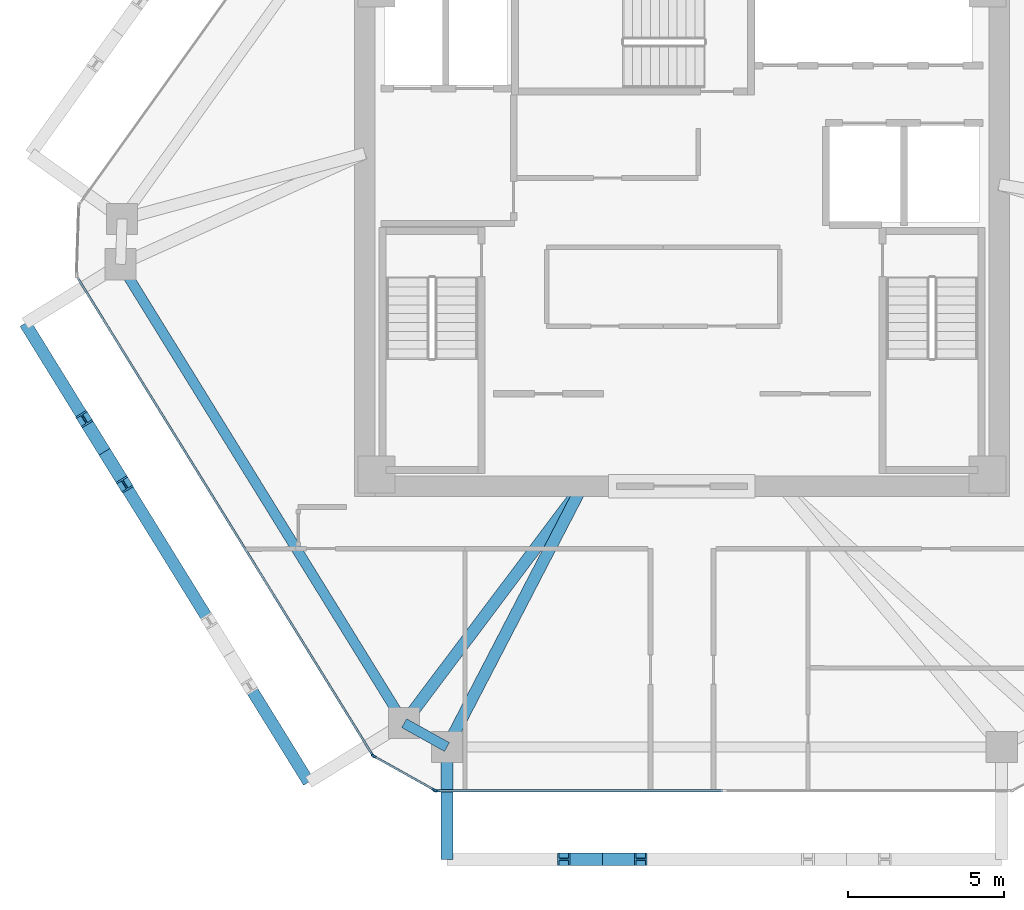
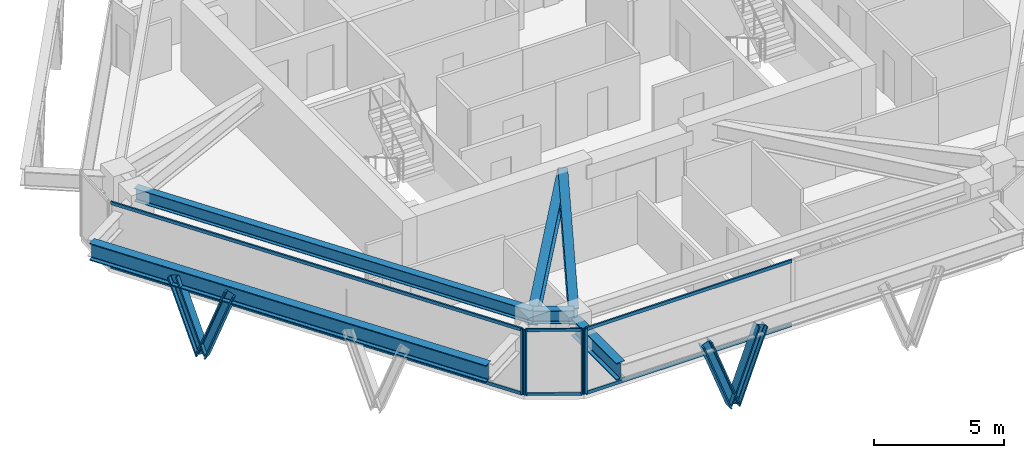
# One storey, part 2 of 11: 14 members, 6 beams, 3 elements without a shape of their own.
"""IFC4 building model written with IfcOpenShell, lengths in metres."""

from ifc_helpers import new_model, si_unit, direction, frame, origin, origin_2d, place, context, subcontext, project, spatial, rectangle, i_section, extrude, source, transform, mapped, material, layer, layer_set, material_profile, profile_set, type_object, type_shapes, element, aggregate, save


model = new_model("IFC4")

# Units and contexts
model_context = context("Model", 3, precision=1e-05, world=origin(), true_north=direction((0.0, 1.0)))
body_context = subcontext(model_context, "Body", "Model", "MODEL_VIEW")
ifc_project = project(units=[si_unit("LENGTHUNIT", "METRE"), si_unit("AREAUNIT", "SQUARE_METRE"), si_unit("VOLUMEUNIT", "CUBIC_METRE"), si_unit("PLANEANGLEUNIT", "RADIAN"), si_unit("MASSUNIT", "GRAM", prefix="KILO")], contexts=[model_context])

# Site, building, storey
site_placement = place(None, origin())
site = spatial("IfcSite", under=ifc_project, at=site_placement, CompositionType="ELEMENT")
building_placement = place(site_placement, origin())
building = spatial("IfcBuilding", under=site, at=building_placement, Name="Durnholm Broadcast Tower", CompositionType="ELEMENT")
storey_placement = place(building_placement, frame((0.0, 0.0, 183.699951171875)))
storey = spatial("IfcBuildingStorey", under=building, at=storey_placement, Name="L50", CompositionType="ELEMENT", Elevation=183.699951171875)

# Beams
ifc_material_1 = material(Name="Steel ASTM A992 Grade 50", Category="steel")
ifc_material_profile_1 = material_profile(ifc_material_1, i_section(OverallWidth=0.385009765625, OverallDepth=0.802978515625, WebThickness=0.023681640625, FlangeThickness=0.0419921875, FilletRadius=0.032958984375, at=origin_2d()), Name="W30X261")
ifc_profile_set_1 = profile_set([ifc_material_profile_1], Name="Steel ASTM A992 Grade 50")
beam_type_1 = type_object("IfcBeamType", Name="BM-EXO-TIE", PredefinedType="USERDEFINED", material=ifc_profile_set_1)
shared_shape_1 = source(origin(), body_context, "Body", "SweptSolid", [
    extrude(i_section(OverallWidth=0.385009765625, OverallDepth=0.802978515625, WebThickness=0.023681640625, FlangeThickness=0.0419921875, FilletRadius=0.032958984375, at=origin_2d()), origin(), (0.0, 0.0, 1.0), 3.4560546875),
])
beam_1_placement = place(storey_placement, frame((-7.53955078125, -16.68603515625, 2.30859375), z_axis=(0.0, -1.0, 0.0), x_axis=(1.0, 0.0, 0.0)))
element("IfcBeam", 1, at=beam_1_placement, inside=storey, type_object=beam_type_1, Name="L50 exoskeleton stand-off tie bracket F1.1", ObjectType="GIRDER", PredefinedType="USERDEFINED", context=body_context, shape_type="MappedRepresentation", body=[
    mapped(shared_shape_1, transform((0.0, 0.0, 0.0), x_axis=(1.0, 0.0, 0.0), y_axis=(0.0, 1.0, 0.0), z_axis=(0.0, 0.0, 1.0), scale=1.0)),
])
ifc_material_profile_2 = material_profile(ifc_material_1, i_section(OverallWidth=0.3251953125, OverallDepth=0.6162109375, WebThickness=0.013916015625, FlangeThickness=0.021484375, FilletRadius=0.02783203125, at=origin_2d()), Name="W24X117")
ifc_profile_set_2 = profile_set([ifc_material_profile_2], Name="Steel ASTM A992 Grade 50")
beam_type_2 = type_object("IfcBeamType", Name="STL-SP-W24X117", PredefinedType="SPANDREL", material=ifc_profile_set_2)
shared_shape_2 = source(origin(), body_context, "Body", "SweptSolid", [
    extrude(i_section(OverallWidth=0.3251953125, OverallDepth=0.6162109375, WebThickness=0.013916015625, FlangeThickness=0.021484375, FilletRadius=0.02783203125, at=origin_2d()), origin(), (0.0, 0.0, 1.0), 17.3037109375),
])
beam_2_placement = place(storey_placement, frame((-8.91259765625, -15.7763671875, 2.737060546875), z_axis=(-0.525695324718, 0.850672925142, 0.0), x_axis=(-0.850672925142, -0.525695324718, 0.0)))
element("IfcBeam", 2, at=beam_2_placement, inside=storey, type_object=beam_type_2, Name="L50 perimeter spandrel girder 01", PredefinedType="SPANDREL", context=body_context, shape_type="MappedRepresentation", body=[
    mapped(shared_shape_2, transform((0.0, 0.0, 0.0), x_axis=(1.0, 0.0, 0.0), y_axis=(0.0, 1.0, 0.0), z_axis=(0.0, 0.0, 1.0), scale=1.0)),
])
shared_shape_3 = source(origin(), body_context, "Body", "SweptSolid", [
    extrude(i_section(OverallWidth=0.3251953125, OverallDepth=0.6162109375, WebThickness=0.013916015625, FlangeThickness=0.021484375, FilletRadius=0.02783203125, at=origin_2d()), origin(), (0.0, 0.0, 1.0), 1.572021484375),
])
type_shapes(beam_type_2, [shared_shape_2, shared_shape_3])
beam_3_placement = place(storey_placement, frame((-7.53955078125, -16.5419921875, 2.737060546875), z_axis=(-0.873394362663, 0.487013641769, 0.0), x_axis=(-0.487013641769, -0.873394362663, 0.0)))
element("IfcBeam", 3, at=beam_3_placement, inside=storey, type_object=beam_type_2, Name="L50 perimeter spandrel girder 12", PredefinedType="SPANDREL", context=body_context, shape_type="MappedRepresentation", body=[
    mapped(shared_shape_3, transform((0.0, 0.0, 0.0), x_axis=(1.0, 0.0, 0.0), y_axis=(0.0, 1.0, 0.0), z_axis=(0.0, 0.0, 1.0), scale=1.0)),
])
shared_shape_4 = source(origin(), body_context, "Body", "SweptSolid", [
    extrude(i_section(OverallWidth=0.385009765625, OverallDepth=0.802978515625, WebThickness=0.023681640625, FlangeThickness=0.0419921875, FilletRadius=0.032958984375, at=origin_2d()), origin(), (0.0, 0.0, 1.0), 17.303466796875),
])
type_shapes(beam_type_1, [shared_shape_1, shared_shape_4])
beam_4_placement = place(storey_placement, frame((-21.071533203125, -2.94921875, 2.30859375), z_axis=(0.525701634347, -0.850669025911, 0.0), x_axis=(0.850669025911, 0.525701634347, 0.0)))
element("IfcBeam", 4, at=beam_4_placement, inside=storey, type_object=beam_type_1, Name="L50 exoskeleton collector spandrel F6", PredefinedType="SPANDREL", context=body_context, shape_type="MappedRepresentation", body=[
    mapped(shared_shape_4, transform((0.0, 0.0, 0.0), x_axis=(1.0, 0.0, 0.0), y_axis=(0.0, 1.0, 0.0), z_axis=(0.0, 0.0, 1.0), scale=1.0)),
])
ifc_material_profile_3 = material_profile(ifc_material_1, i_section(OverallWidth=0.380615234375, OverallDepth=0.773193359375, WebThickness=0.0166015625, FlangeThickness=0.027099609375, FilletRadius=0.032958984375, at=origin_2d()), Name="W30X173")
ifc_profile_set_3 = profile_set([ifc_material_profile_3], Name="Steel ASTM A992 Grade 50")
beam_type_3 = type_object("IfcBeamType", Name="STL-GR-W30X173", PredefinedType="USERDEFINED", material=ifc_profile_set_3)
shared_shape_5 = source(origin(), body_context, "Body", "SweptSolid", [
    extrude(i_section(OverallWidth=0.380615234375, OverallDepth=0.773193359375, WebThickness=0.0166015625, FlangeThickness=0.027099609375, FilletRadius=0.032958984375, at=origin_2d()), origin(), (0.0, 0.0, 1.0), 9.508544921875),
])
beam_5_placement = place(storey_placement, frame((-3.199951171875, -8.175048828125, 2.658447265625), z_axis=(-0.600784359039, -0.799411129479, 0.0), x_axis=(0.799411129479, -0.600784359039, 0.0)))
element("IfcBeam", 5, at=beam_5_placement, inside=storey, type_object=beam_type_3, Name="L50 radial primary floor girder 01", ObjectType="GIRDER", PredefinedType="USERDEFINED", context=body_context, shape_type="MappedRepresentation", body=[
    mapped(shared_shape_5, transform((0.0, 0.0, 0.0), x_axis=(1.0, 0.0, 0.0), y_axis=(0.0, 1.0, 0.0), z_axis=(0.0, 0.0, 1.0), scale=1.0)),
])
shared_shape_6 = source(origin(), body_context, "Body", "SweptSolid", [
    extrude(i_section(OverallWidth=0.380615234375, OverallDepth=0.773193359375, WebThickness=0.0166015625, FlangeThickness=0.027099609375, FilletRadius=0.032958984375, at=origin_2d()), origin(), (0.0, 0.0, 1.0), 9.42529296875),
])
type_shapes(beam_type_3, [shared_shape_5, shared_shape_6])
beam_6_placement = place(storey_placement, frame((-3.199951171875, -8.175048828125, 2.658447265625), z_axis=(-0.460416206992, -0.887703169048, 0.0), x_axis=(0.887703169048, -0.460416206992, 0.0)))
element("IfcBeam", 6, at=beam_6_placement, inside=storey, type_object=beam_type_3, Name="L50 radial primary floor girder 12", ObjectType="GIRDER", PredefinedType="USERDEFINED", context=body_context, shape_type="MappedRepresentation", body=[
    mapped(shared_shape_6, transform((0.0, 0.0, 0.0), x_axis=(1.0, 0.0, 0.0), y_axis=(0.0, 1.0, 0.0), z_axis=(0.0, 0.0, 1.0), scale=1.0)),
])

# Members
ifc_material_2 = material(Name="Steel ASTM A913 Grade 65", Category="steel")
ifc_material_profile_4 = material_profile(ifc_material_2, i_section(OverallWidth=0.412109375, OverallDepth=0.434814453125, WebThickness=0.035888671875, FlangeThickness=0.057373046875, FilletRadius=0.030517578125, at=origin_2d()), Name="W14X311")
ifc_profile_set_4 = profile_set([ifc_material_profile_4], Name="Steel ASTM A913 Grade 65")
member_type_1 = type_object("IfcMemberType", Name="STL-DG-W14X311", PredefinedType="BRACE", material=ifc_profile_set_4)
shared_shape_7 = source(origin(), body_context, "Body", "SweptSolid", [
    extrude(i_section(OverallWidth=0.412109375, OverallDepth=0.434814453125, WebThickness=0.035888671875, FlangeThickness=0.057373046875, FilletRadius=0.030517578125, at=origin_2d()), origin(), (0.0, 0.0, 1.0), 3.523193359375),
])
type_shapes(member_type_1, [shared_shape_7])
for number, where, z_axis, x_axis, name in (
    (7, (-2.556640625, -20.14208984375, -0.991455078125), (-0.350158790071, 0.0, 0.936690355313), (0.0, -1.0, 0.0), "L50 stand-off diagrid brace F1.D1.1"),
    (8, (-2.556640625, -20.14208984375, -0.991455078125), (0.350219588454, 0.0, 0.936667625075), (0.0, 1.0, 0.0), "L50 stand-off diagrid brace F1.D1.2"),
    (9, (-18.5244140625, -7.07080078125, -0.991455078125), (-0.18411903749, 0.297902800967, 0.936671821509), (-0.850644447398, -0.525741404219, 0.0), "L50 stand-off diagrid brace F6.D1.1"),
    (10, (-18.5244140625, -7.07080078125, -0.991455078125), (0.184052089489, -0.297906601172, 0.936683770188), (0.850732935913, 0.525598203719, 0.0), "L50 stand-off diagrid brace F6.D1.2"),
):
    element("IfcMember", number, at=place(storey_placement, frame(where, z_axis=z_axis, x_axis=x_axis)), inside=storey, type_object=member_type_1, Name=name, PredefinedType="BRACE", context=body_context, shape_type="MappedRepresentation", body=[
        mapped(shared_shape_7, transform((0.0, 0.0, 0.0), x_axis=(1.0, 0.0, 0.0), y_axis=(0.0, 1.0, 0.0), z_axis=(0.0, 0.0, 1.0), scale=1.0)),
    ])

# Curtain wall, members
ifc_material_3 = material(Name="Aluminium and Solar Control IGU", Category="aluminium")
ifc_layer_1 = layer(ifc_material_3, 0.1650390625)
ifc_layer_set_1 = layer_set([ifc_layer_1], Name="Aluminium and Solar Control IGU")
curtain_wall_type_1 = type_object("IfcCurtainWallType", Name="CW-SYS-5", PredefinedType="NOTDEFINED", material=ifc_layer_set_1)
curtain_wall_1_placement = place(storey_placement, origin())
curtain_wall_1 = element("IfcCurtainWall", 11, at=curtain_wall_1_placement, inside=storey, type_object=curtain_wall_type_1, Name="L50 curtain wall CW-CORNER CW-L50-CRN-11", PredefinedType="NOTDEFINED")
ifc_material_4 = material(Name="Aluminium 6063-T6", Category="aluminium")
ifc_material_profile_5 = material_profile(ifc_material_4, rectangle(XDim=0.06494140625, YDim=0.1650390625, at=origin_2d()), Name="CWM65X165")
ifc_profile_set_5 = profile_set([ifc_material_profile_5], Name="Aluminium 6063-T6")
member_type_2 = type_object("IfcMemberType", Name="CW-SYS-5-MUL", PredefinedType="MULLION", material=ifc_profile_set_5)
shared_shape_8 = source(origin(), body_context, "Body", "SweptSolid", [
    extrude(rectangle(XDim=0.06494140625, YDim=0.1650390625, at=origin_2d()), origin(), (0.0, 0.0, 1.0), 3.06005859375),
])
type_shapes(member_type_2, [shared_shape_8])
member_1_placement = place(storey_placement, frame((-7.931884765625, -17.92626953125, 0.0), z_axis=(0.0, 0.0, 1.0), x_axis=(-0.486986043316, -0.873409751271, 0.0)))
member_1 = element("IfcMember", 12, at=member_1_placement, type_object=member_type_2, Name="CW-CORNER mullion 1", PredefinedType="MULLION", context=body_context, shape_type="MappedRepresentation", body=[
    mapped(shared_shape_8, transform((0.0, 0.0, 0.0), x_axis=(1.0, 0.0, 0.0), y_axis=(0.0, 1.0, 0.0), z_axis=(0.0, 0.0, 1.0), scale=1.0)),
])
member_2_placement = place(storey_placement, frame((-9.884033203125, -16.837646484375, 0.0), z_axis=(0.0, 0.0, 1.0), x_axis=(-0.486986043316, -0.873409751271, 0.0)))
member_2 = element("IfcMember", 13, at=member_2_placement, type_object=member_type_2, Name="CW-CORNER mullion 2", PredefinedType="MULLION", context=body_context, shape_type="MappedRepresentation", body=[
    mapped(shared_shape_8, transform((0.0, 0.0, 0.0), x_axis=(1.0, 0.0, 0.0), y_axis=(0.0, 1.0, 0.0), z_axis=(0.0, 0.0, 1.0), scale=1.0)),
])
ifc_material_profile_6 = material_profile(ifc_material_4, rectangle(XDim=0.06494140625, YDim=0.1298828125, at=origin_2d()), Name="CWT65X130")
ifc_profile_set_6 = profile_set([ifc_material_profile_6], Name="Aluminium 6063-T6")
member_type_3 = type_object("IfcMemberType", Name="CW-SYS-5-TRN", PredefinedType="USERDEFINED", material=ifc_profile_set_6)
shared_shape_9 = source(origin(), body_context, "Body", "SweptSolid", [
    extrude(rectangle(XDim=0.06494140625, YDim=0.1298828125, at=origin_2d()), origin(), (0.0, 0.0, 1.0), 2.169921875),
])
type_shapes(member_type_3, [shared_shape_9])
member_3_placement = place(storey_placement, frame((-7.960205078125, -17.910400390625, 0.032470703125), z_axis=(-0.873381360539, 0.487036958621, 0.0), x_axis=(-0.487036958621, -0.873381360539, 0.0)))
member_3 = element("IfcMember", 14, at=member_3_placement, type_object=member_type_3, Name="CW-CORNER transom 1.1", ObjectType="TRANSOM", PredefinedType="USERDEFINED", context=body_context, shape_type="MappedRepresentation", body=[
    mapped(shared_shape_9, transform((0.0, 0.0, 0.0), x_axis=(1.0, 0.0, 0.0), y_axis=(0.0, 1.0, 0.0), z_axis=(0.0, 0.0, 1.0), scale=1.0)),
])
member_4_placement = place(storey_placement, frame((-7.960205078125, -17.910400390625, 3.027587890625), z_axis=(-0.873381360539, 0.487036958621, 0.0), x_axis=(-0.487036958621, -0.873381360539, 0.0)))
member_4 = element("IfcMember", 15, at=member_4_placement, type_object=member_type_3, Name="CW-CORNER transom 1.2", ObjectType="TRANSOM", PredefinedType="USERDEFINED", context=body_context, shape_type="MappedRepresentation", body=[
    mapped(shared_shape_9, transform((0.0, 0.0, 0.0), x_axis=(1.0, 0.0, 0.0), y_axis=(0.0, 1.0, 0.0), z_axis=(0.0, 0.0, 1.0), scale=1.0)),
])
aggregate(curtain_wall_1, [member_1, member_2, member_3, member_4])

ifc_layer_2 = layer(ifc_material_3, 0.18994140625)
ifc_layer_set_2 = layer_set([ifc_layer_2], Name="Aluminium and Solar Control IGU")
curtain_wall_type_2 = type_object("IfcCurtainWallType", Name="CW-SYS-4", PredefinedType="NOTDEFINED", material=ifc_layer_set_2)
curtain_wall_2_placement = place(storey_placement, origin())
curtain_wall_2 = element("IfcCurtainWall", 16, at=curtain_wall_2_placement, inside=storey, type_object=curtain_wall_type_2, Name="L50 curtain wall CW-Z34-VIS CW-L50-F10", PredefinedType="NOTDEFINED")
ifc_material_profile_7 = material_profile(ifc_material_4, rectangle(XDim=0.070068359375, YDim=0.14990234375, at=origin_2d()), Name="CWT70X150")
ifc_profile_set_7 = profile_set([ifc_material_profile_7], Name="Aluminium 6063-T6")
member_type_4 = type_object("IfcMemberType", Name="CW-SYS-4-TRN", PredefinedType="USERDEFINED", material=ifc_profile_set_7)
shared_shape_10 = source(origin(), body_context, "Body", "SweptSolid", [
    extrude(rectangle(XDim=0.070068359375, YDim=0.14990234375, at=origin_2d()), origin(), (0.0, 0.0, 1.0), 9.14453125),
])
member_5_placement = place(storey_placement, frame((1.31103515625, -17.94189453125, 0.03515625), z_axis=(-1.0, 0.0, 0.0), x_axis=(0.0, -1.0, 0.0)))
member_5 = element("IfcMember", 17, at=member_5_placement, type_object=member_type_4, Name="CW-Z34-VIS transom 2.1", ObjectType="TRANSOM", PredefinedType="USERDEFINED", context=body_context, shape_type="MappedRepresentation", body=[
    mapped(shared_shape_10, transform((0.0, 0.0, 0.0), x_axis=(1.0, 0.0, 0.0), y_axis=(0.0, 1.0, 0.0), z_axis=(0.0, 0.0, 1.0), scale=1.0)),
])
member_6_placement = place(storey_placement, frame((1.31103515625, -17.94189453125, 3.025146484375), z_axis=(-1.0, 0.0, 0.0), x_axis=(0.0, -1.0, 0.0)))
member_6 = element("IfcMember", 18, at=member_6_placement, type_object=member_type_4, Name="CW-Z34-VIS transom 2.2", ObjectType="TRANSOM", PredefinedType="USERDEFINED", context=body_context, shape_type="MappedRepresentation", body=[
    mapped(shared_shape_10, transform((0.0, 0.0, 0.0), x_axis=(1.0, 0.0, 0.0), y_axis=(0.0, 1.0, 0.0), z_axis=(0.0, 0.0, 1.0), scale=1.0)),
])

curtain_wall_3_placement = place(storey_placement, origin())
curtain_wall_3 = element("IfcCurtainWall", 19, at=curtain_wall_3_placement, inside=storey, type_object=curtain_wall_type_2, Name="L50 curtain wall CW-Z34-VIS CW-L50-F12", PredefinedType="NOTDEFINED")
shared_shape_11 = source(origin(), body_context, "Body", "SweptSolid", [
    extrude(rectangle(XDim=0.070068359375, YDim=0.14990234375, at=origin_2d()), origin(), (0.0, 0.0, 1.0), 17.951171875),
])
type_shapes(member_type_4, [shared_shape_10, shared_shape_11])
member_7_placement = place(storey_placement, frame((-9.94921875, -16.762451171875, 0.03515625), z_axis=(-0.525693813807, 0.850673858847, 0.0), x_axis=(-0.850673858847, -0.525693813807, 0.0)))
member_7 = element("IfcMember", 20, at=member_7_placement, type_object=member_type_4, Name="CW-Z34-VIS transom 1.1", ObjectType="TRANSOM", PredefinedType="USERDEFINED", context=body_context, shape_type="MappedRepresentation", body=[
    mapped(shared_shape_11, transform((0.0, 0.0, 0.0), x_axis=(1.0, 0.0, 0.0), y_axis=(0.0, 1.0, 0.0), z_axis=(0.0, 0.0, 1.0), scale=1.0)),
])
member_8_placement = place(storey_placement, frame((-9.94921875, -16.762451171875, 3.025146484375), z_axis=(-0.525693813807, 0.850673858847, 0.0), x_axis=(-0.850673858847, -0.525693813807, 0.0)))
member_8 = element("IfcMember", 21, at=member_8_placement, type_object=member_type_4, Name="CW-Z34-VIS transom 1.2", ObjectType="TRANSOM", PredefinedType="USERDEFINED", context=body_context, shape_type="MappedRepresentation", body=[
    mapped(shared_shape_11, transform((0.0, 0.0, 0.0), x_axis=(1.0, 0.0, 0.0), y_axis=(0.0, 1.0, 0.0), z_axis=(0.0, 0.0, 1.0), scale=1.0)),
])

# Member
ifc_material_profile_8 = material_profile(ifc_material_4, rectangle(XDim=0.070068359375, YDim=0.18994140625, at=origin_2d()), Name="CWM70X190")
ifc_profile_set_8 = profile_set([ifc_material_profile_8], Name="Aluminium 6063-T6")
member_type_5 = type_object("IfcMemberType", Name="CW-SYS-4-MUL", PredefinedType="MULLION", material=ifc_profile_set_8)
shared_shape_12 = source(origin(), body_context, "Body", "SweptSolid", [
    extrude(rectangle(XDim=0.070068359375, YDim=0.18994140625, at=origin_2d()), origin(), (0.0, 0.0, 1.0), 3.06005859375),
])
type_shapes(member_type_5, [shared_shape_12])
member_9_placement = place(storey_placement, frame((-7.868408203125, -17.94189453125, 0.0), z_axis=(0.0, 0.0, 1.0), x_axis=(0.0, -1.0, 0.0)))
member_9 = element("IfcMember", 22, at=member_9_placement, type_object=member_type_5, Name="CW-Z34-VIS mullion 3", PredefinedType="MULLION", context=body_context, shape_type="MappedRepresentation", body=[
    mapped(shared_shape_12, transform((0.0, 0.0, 0.0), x_axis=(1.0, 0.0, 0.0), y_axis=(0.0, 1.0, 0.0), z_axis=(0.0, 0.0, 1.0), scale=1.0)),
])

aggregate(curtain_wall_2, [member_9, member_5, member_6])

member_10_placement = place(storey_placement, frame((-9.9306640625, -16.792236328125, 0.0), z_axis=(0.0, 0.0, 1.0), x_axis=(-0.850671426092, -0.525697750452, 0.0)))
member_10 = element("IfcMember", 23, at=member_10_placement, type_object=member_type_5, Name="CW-Z34-VIS mullion 1", PredefinedType="MULLION", context=body_context, shape_type="MappedRepresentation", body=[
    mapped(shared_shape_12, transform((0.0, 0.0, 0.0), x_axis=(1.0, 0.0, 0.0), y_axis=(0.0, 1.0, 0.0), z_axis=(0.0, 0.0, 1.0), scale=1.0)),
])

aggregate(curtain_wall_3, [member_10, member_7, member_8])

save(model, "model.ifc")
